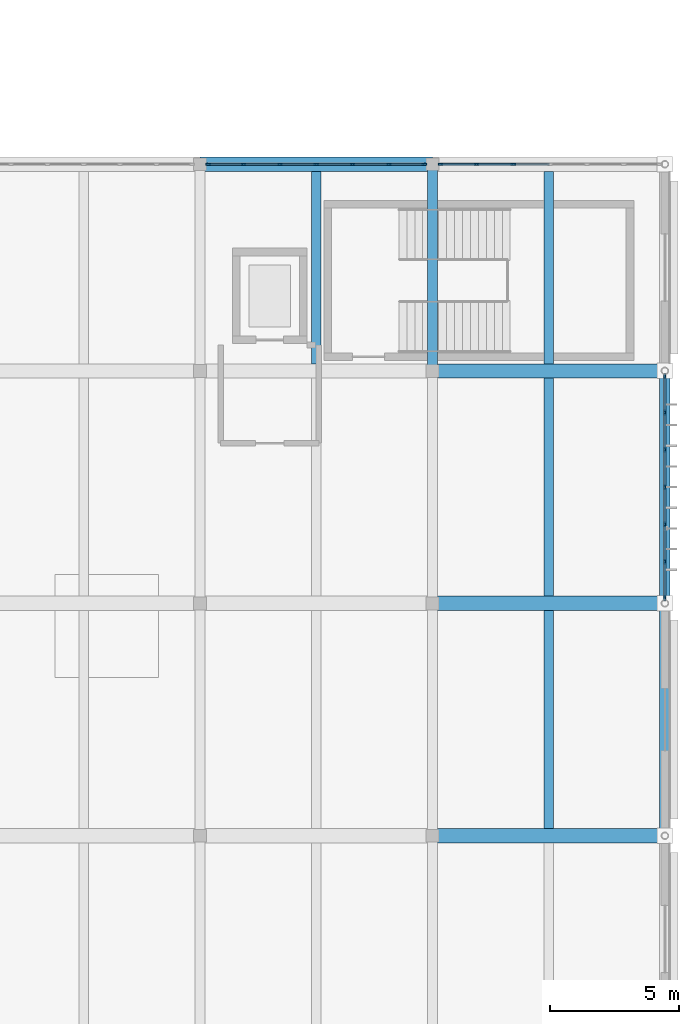
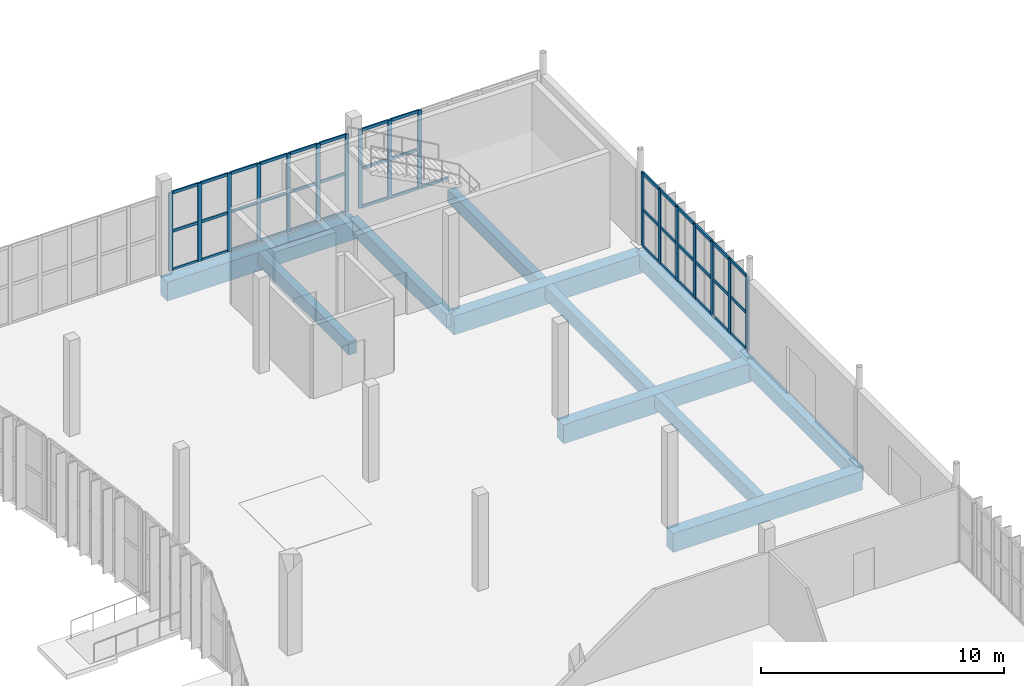
# One storey, part 31 of 72: 60 members, 11 beams, 3 elements without a shape of their own.
"""IFC4 building model written with IfcOpenShell, lengths in metres."""

from ifc_helpers import new_model, si_unit, direction, frame, origin, origin_2d, place, context, subcontext, project, spatial, rectangle, extrude, material, material_profile, profile_set, type_object, element, aggregate, save


model = new_model("IFC4")

# Units and contexts
model_context = context("Model", 3, precision=1e-05, world=origin(), true_north=direction((0.0, 1.0)))
body_context = subcontext(model_context, "Body", "Model", "MODEL_VIEW")
ifc_project = project(units=[si_unit("LENGTHUNIT", "METRE"), si_unit("AREAUNIT", "SQUARE_METRE"), si_unit("VOLUMEUNIT", "CUBIC_METRE"), si_unit("PLANEANGLEUNIT", "RADIAN"), si_unit("MASSUNIT", "GRAM", prefix="KILO")], contexts=[model_context])

# Site, building, storey
site_placement = place(None, origin())
site = spatial("IfcSite", under=ifc_project, at=site_placement, CompositionType="ELEMENT")
building_placement = place(site_placement, origin())
building = spatial("IfcBuilding", under=site, at=building_placement, Name="Vourika Railside Aquatics Centre", CompositionType="ELEMENT")
storey_placement = place(building_placement, origin())
storey = spatial("IfcBuildingStorey", under=building, at=storey_placement, Name="L00", CompositionType="ELEMENT", Elevation=0.0)

# Beams
ifc_material_1 = material(Name="Concrete C35/45", Category="concrete")
ifc_material_profile_1 = material_profile(ifc_material_1, rectangle(XDim=0.39990234375, YDim=0.699951171875, at=origin_2d()), Name="RC 400x700")
ifc_profile_set_1 = profile_set([ifc_material_profile_1], Name="Concrete C35/45")
beam_type_1 = type_object("IfcBeamType", Name="BM-GIRD-400x700", PredefinedType="BEAM", material=ifc_profile_set_1)
beam_placement = place(storey_placement, frame((159.0, 84.0, -0.669921875), z_axis=(0.0, 1.0, 0.0), x_axis=(-1.0, 0.0, 0.0)))
element("IfcBeam", 1, at=beam_placement, inside=storey, type_object=beam_type_1, Name="Floor Girder GY-L00-343", PredefinedType="BEAM", context=body_context, shape_type="SweptSolid", body=[
    extrude(rectangle(XDim=0.39990234375, YDim=0.699951171875, at=origin_2d()), origin(), (0.0, 0.0, 1.0), 8.0),
])
for number, where, z_axis, x_axis, name in (
    (2, (168.0, 66.0, -0.669921875), (0.0, 1.0, 0.0), (-1.0, 0.0, 0.0), "Floor Girder GY-L00-347"),
    (3, (168.0, 75.0, -0.669921875), (0.0, 1.0, 0.0), (-1.0, 0.0, 0.0), "Floor Girder GY-L00-348"),
):
    element("IfcBeam", number, at=place(storey_placement, frame(where, z_axis=z_axis, x_axis=x_axis)), inside=storey, type_object=beam_type_1, Name=name, PredefinedType="BEAM", context=body_context, shape_type="SweptSolid", body=[
        extrude(rectangle(XDim=0.39990234375, YDim=0.699951171875, at=origin_2d()), origin(), (0.0, 0.0, 1.0), 9.0),
    ])
ifc_material_2 = material(Name="Concrete C40/50", Category="concrete")
ifc_material_profile_2 = material_profile(ifc_material_2, rectangle(XDim=0.550048828125, YDim=0.949951171875, at=origin_2d()), Name="RC 550x950")
ifc_profile_set_2 = profile_set([ifc_material_profile_2], Name="Concrete C40/50")
beam_type_2 = type_object("IfcBeamType", Name="BM-GIRD-550x950", PredefinedType="BEAM", material=ifc_profile_set_2)
for number, where, z_axis, x_axis, name in (
    (4, (159.0, 66.0, -0.794921875), (1.0, 0.0, 0.0), (0.0, 1.0, 0.0), "Floor Beam GX-L00-113"),
    (5, (159.0, 75.0, -0.794921875), (1.0, 0.0, 0.0), (0.0, 1.0, 0.0), "Floor Beam GX-L00-118"),
    (6, (159.0, 84.0, -0.794921875), (1.0, 0.0, 0.0), (0.0, 1.0, 0.0), "Floor Beam GX-L00-123"),
    (7, (150.0, 92.0, -0.794921875), (1.0, 0.0, 0.0), (0.0, 1.0, 0.0), "Floor Beam GX-L00-141"),
):
    element("IfcBeam", number, at=place(storey_placement, frame(where, z_axis=z_axis, x_axis=x_axis)), inside=storey, type_object=beam_type_2, Name=name, PredefinedType="BEAM", context=body_context, shape_type="SweptSolid", body=[
        extrude(rectangle(XDim=0.550048828125, YDim=0.949951171875, at=origin_2d()), origin(), (0.0, 0.0, 1.0), 9.0),
    ])
ifc_material_profile_3 = material_profile(ifc_material_1, rectangle(XDim=0.3798828125, YDim=0.64990234375, at=origin_2d()), Name="RC 380x650")
ifc_profile_set_3 = profile_set([ifc_material_profile_3], Name="Concrete C35/45")
beam_type_3 = type_object("IfcBeamType", Name="BM-SEC-380x650", PredefinedType="JOIST", material=ifc_profile_set_3)
for number, where, z_axis, x_axis, name in (
    (8, (163.5, 66.27490234375, -0.64501953125), (0.0, 1.0, 0.0), (-1.0, 0.0, 0.0), "Secondary Joist JY-L00-423"),
    (9, (163.5, 75.27490234375, -0.64501953125), (0.0, 1.0, 0.0), (-1.0, 0.0, 0.0), "Secondary Joist JY-L00-428"),
):
    element("IfcBeam", number, at=place(storey_placement, frame(where, z_axis=z_axis, x_axis=x_axis)), inside=storey, type_object=beam_type_3, Name=name, PredefinedType="JOIST", context=body_context, shape_type="SweptSolid", body=[
        extrude(rectangle(XDim=0.3798828125, YDim=0.64990234375, at=origin_2d()), origin(), (0.0, 0.0, 1.0), 8.4501953125),
    ])
for number, where, z_axis, x_axis, name in (
    (10, (154.5, 84.27490234375, -0.64501953125), (0.0, 1.0, 0.0), (-1.0, 0.0, 0.0), "Secondary Joist JY-L00-432"),
    (11, (163.5, 84.27490234375, -0.64501953125), (0.0, 1.0, 0.0), (-1.0, 0.0, 0.0), "Secondary Joist JY-L00-433"),
):
    element("IfcBeam", number, at=place(storey_placement, frame(where, z_axis=z_axis, x_axis=x_axis)), inside=storey, type_object=beam_type_3, Name=name, PredefinedType="JOIST", context=body_context, shape_type="SweptSolid", body=[
        extrude(rectangle(XDim=0.3798828125, YDim=0.64990234375, at=origin_2d()), origin(), (0.0, 0.0, 1.0), 7.4501953125),
    ])

# Curtain wall, members
ifc_material_3 = material(Name="Anodized thermally broken aluminium", Category="aluminium")
curtain_wall_type_1 = type_object("IfcCurtainWallType", Name="CW-FOYE", PredefinedType="NOTDEFINED", material=ifc_material_3)
curtain_wall_1_placement = place(storey_placement, origin())
curtain_wall_1 = element("IfcCurtainWall", 12, at=curtain_wall_1_placement, inside=storey, type_object=curtain_wall_type_1, Name="East Arrival Facade Curtain Wall L00-5", PredefinedType="NOTDEFINED")
ifc_material_4 = material(Name="Anodized aluminium mullion", Category="aluminium")
ifc_material_profile_4 = material_profile(ifc_material_4, rectangle(XDim=0.074951171875, YDim=0.199951171875, at=origin_2d()), Name="ALU-M 75x200")
ifc_profile_set_4 = profile_set([ifc_material_profile_4], Name="Anodized aluminium mullion")
member_type_1 = type_object("IfcMemberType", Name="CWM-FOYE", PredefinedType="MULLION", material=ifc_profile_set_4)
member_1_placement = place(storey_placement, frame((168.0, 75.2041015625, 0.0), z_axis=(0.0, 0.0, 1.0), x_axis=(-1.0, 0.0, 0.0)))
member_1 = element("IfcMember", 13, at=member_1_placement, type_object=member_type_1, Name="CW10 mullion 1", PredefinedType="MULLION", context=body_context, shape_type="SweptSolid", body=[
    extrude(rectangle(XDim=0.074951171875, YDim=0.199951171875, at=origin_2d()), origin(), (0.0, 0.0, 1.0), 3.72998046875),
])
member_2_placement = place(storey_placement, frame((168.0, 76.611083984375, 0.0), z_axis=(0.0, 0.0, 1.0), x_axis=(-1.0, 0.0, 0.0)))
member_2 = element("IfcMember", 14, at=member_2_placement, type_object=member_type_1, Name="CW10 mullion 2", PredefinedType="MULLION", context=body_context, shape_type="SweptSolid", body=[
    extrude(rectangle(XDim=0.074951171875, YDim=0.199951171875, at=origin_2d()), origin(), (0.0, 0.0, 1.0), 3.72998046875),
])
member_3_placement = place(storey_placement, frame((168.0, 78.055419921875, 0.0), z_axis=(0.0, 0.0, 1.0), x_axis=(-1.0, 0.0, 0.0)))
member_3 = element("IfcMember", 15, at=member_3_placement, type_object=member_type_1, Name="CW10 mullion 3", PredefinedType="MULLION", context=body_context, shape_type="SweptSolid", body=[
    extrude(rectangle(XDim=0.074951171875, YDim=0.199951171875, at=origin_2d()), origin(), (0.0, 0.0, 1.0), 3.72998046875),
])
member_4_placement = place(storey_placement, frame((168.0, 79.5, 0.0), z_axis=(0.0, 0.0, 1.0), x_axis=(-1.0, 0.0, 0.0)))
member_4 = element("IfcMember", 16, at=member_4_placement, type_object=member_type_1, Name="CW10 mullion 4", PredefinedType="MULLION", context=body_context, shape_type="SweptSolid", body=[
    extrude(rectangle(XDim=0.074951171875, YDim=0.199951171875, at=origin_2d()), origin(), (0.0, 0.0, 1.0), 3.72998046875),
])
member_5_placement = place(storey_placement, frame((168.0, 80.944580078125, 0.0), z_axis=(0.0, 0.0, 1.0), x_axis=(-1.0, 0.0, 0.0)))
member_5 = element("IfcMember", 17, at=member_5_placement, type_object=member_type_1, Name="CW10 mullion 5", PredefinedType="MULLION", context=body_context, shape_type="SweptSolid", body=[
    extrude(rectangle(XDim=0.074951171875, YDim=0.199951171875, at=origin_2d()), origin(), (0.0, 0.0, 1.0), 3.72998046875),
])
member_6_placement = place(storey_placement, frame((168.0, 82.388916015625, 0.0), z_axis=(0.0, 0.0, 1.0), x_axis=(-1.0, 0.0, 0.0)))
member_6 = element("IfcMember", 18, at=member_6_placement, type_object=member_type_1, Name="CW10 mullion 6", PredefinedType="MULLION", context=body_context, shape_type="SweptSolid", body=[
    extrude(rectangle(XDim=0.074951171875, YDim=0.199951171875, at=origin_2d()), origin(), (0.0, 0.0, 1.0), 3.72998046875),
])
member_7_placement = place(storey_placement, frame((168.0, 83.7958984375, 0.0), z_axis=(0.0, 0.0, 1.0), x_axis=(-1.0, 0.0, 0.0)))
member_7 = element("IfcMember", 19, at=member_7_placement, type_object=member_type_1, Name="CW10 mullion 7", PredefinedType="MULLION", context=body_context, shape_type="SweptSolid", body=[
    extrude(rectangle(XDim=0.074951171875, YDim=0.199951171875, at=origin_2d()), origin(), (0.0, 0.0, 1.0), 3.72998046875),
])

curtain_wall_type_2 = type_object("IfcCurtainWallType", Name="CW-FOYS", PredefinedType="NOTDEFINED", material=ifc_material_3)
curtain_wall_2_placement = place(storey_placement, origin())
curtain_wall_2 = element("IfcCurtainWall", 20, at=curtain_wall_2_placement, inside=storey, type_object=curtain_wall_type_2, Name="Foyer North Glazed Facade L00-2", PredefinedType="NOTDEFINED")
ifc_material_profile_5 = material_profile(ifc_material_4, rectangle(XDim=0.072021484375, YDim=0.181884765625, at=origin_2d()), Name="ALU-M 72x182")
ifc_profile_set_5 = profile_set([ifc_material_profile_5], Name="Anodized aluminium mullion")
member_type_2 = type_object("IfcMemberType", Name="CWM-FOYS", PredefinedType="MULLION", material=ifc_profile_set_5)
member_8_placement = place(storey_placement, frame((158.68408203125, 92.0, 0.0), z_axis=(0.0, 0.0, 1.0), x_axis=(0.0, -1.0, 0.0)))
member_8 = element("IfcMember", 21, at=member_8_placement, type_object=member_type_2, Name="CW11 mullion 1", PredefinedType="MULLION", context=body_context, shape_type="SweptSolid", body=[
    extrude(rectangle(XDim=0.072021484375, YDim=0.181884765625, at=origin_2d()), origin(), (0.0, 0.0, 1.0), 3.929931640625),
])
member_9_placement = place(storey_placement, frame((157.313232421875, 92.0, 0.0), z_axis=(0.0, 0.0, 1.0), x_axis=(0.0, -1.0, 0.0)))
member_9 = element("IfcMember", 22, at=member_9_placement, type_object=member_type_2, Name="CW11 mullion 2", PredefinedType="MULLION", context=body_context, shape_type="SweptSolid", body=[
    extrude(rectangle(XDim=0.072021484375, YDim=0.181884765625, at=origin_2d()), origin(), (0.0, 0.0, 1.0), 3.929931640625),
])
member_10_placement = place(storey_placement, frame((155.90673828125, 92.0, 0.0), z_axis=(0.0, 0.0, 1.0), x_axis=(0.0, -1.0, 0.0)))
member_10 = element("IfcMember", 23, at=member_10_placement, type_object=member_type_2, Name="CW11 mullion 3", PredefinedType="MULLION", context=body_context, shape_type="SweptSolid", body=[
    extrude(rectangle(XDim=0.072021484375, YDim=0.181884765625, at=origin_2d()), origin(), (0.0, 0.0, 1.0), 3.929931640625),
])
member_11_placement = place(storey_placement, frame((154.5, 92.0, 0.0), z_axis=(0.0, 0.0, 1.0), x_axis=(0.0, -1.0, 0.0)))
member_11 = element("IfcMember", 24, at=member_11_placement, type_object=member_type_2, Name="CW11 mullion 4", PredefinedType="MULLION", context=body_context, shape_type="SweptSolid", body=[
    extrude(rectangle(XDim=0.072021484375, YDim=0.181884765625, at=origin_2d()), origin(), (0.0, 0.0, 1.0), 3.929931640625),
])
member_12_placement = place(storey_placement, frame((153.09326171875, 92.0, 0.0), z_axis=(0.0, 0.0, 1.0), x_axis=(0.0, -1.0, 0.0)))
member_12 = element("IfcMember", 25, at=member_12_placement, type_object=member_type_2, Name="CW11 mullion 5", PredefinedType="MULLION", context=body_context, shape_type="SweptSolid", body=[
    extrude(rectangle(XDim=0.072021484375, YDim=0.181884765625, at=origin_2d()), origin(), (0.0, 0.0, 1.0), 3.929931640625),
])
member_13_placement = place(storey_placement, frame((151.686767578125, 92.0, 0.0), z_axis=(0.0, 0.0, 1.0), x_axis=(0.0, -1.0, 0.0)))
member_13 = element("IfcMember", 26, at=member_13_placement, type_object=member_type_2, Name="CW11 mullion 6", PredefinedType="MULLION", context=body_context, shape_type="SweptSolid", body=[
    extrude(rectangle(XDim=0.072021484375, YDim=0.181884765625, at=origin_2d()), origin(), (0.0, 0.0, 1.0), 3.929931640625),
])
member_14_placement = place(storey_placement, frame((150.31591796875, 92.0, 0.0), z_axis=(0.0, 0.0, 1.0), x_axis=(0.0, -1.0, 0.0)))
member_14 = element("IfcMember", 27, at=member_14_placement, type_object=member_type_2, Name="CW11 mullion 7", PredefinedType="MULLION", context=body_context, shape_type="SweptSolid", body=[
    extrude(rectangle(XDim=0.072021484375, YDim=0.181884765625, at=origin_2d()), origin(), (0.0, 0.0, 1.0), 3.929931640625),
])

curtain_wall_3_placement = place(storey_placement, origin())
curtain_wall_3 = element("IfcCurtainWall", 28, at=curtain_wall_3_placement, inside=storey, type_object=curtain_wall_type_2, Name="Foyer North Glazed Facade L00-3", PredefinedType="NOTDEFINED")
member_15_placement = place(storey_placement, frame((162.131103515625, 92.0, 0.0), z_axis=(0.0, 0.0, 1.0), x_axis=(0.0, -1.0, 0.0)))
member_15 = element("IfcMember", 29, at=member_15_placement, type_object=member_type_2, Name="CW11 mullion 5", PredefinedType="MULLION", context=body_context, shape_type="SweptSolid", body=[
    extrude(rectangle(XDim=0.072021484375, YDim=0.181884765625, at=origin_2d()), origin(), (0.0, 0.0, 1.0), 3.929931640625),
])
member_16_placement = place(storey_placement, frame((160.70556640625, 92.0, 0.0), z_axis=(0.0, 0.0, 1.0), x_axis=(0.0, -1.0, 0.0)))
member_16 = element("IfcMember", 30, at=member_16_placement, type_object=member_type_2, Name="CW11 mullion 6", PredefinedType="MULLION", context=body_context, shape_type="SweptSolid", body=[
    extrude(rectangle(XDim=0.072021484375, YDim=0.181884765625, at=origin_2d()), origin(), (0.0, 0.0, 1.0), 3.929931640625),
])
member_17_placement = place(storey_placement, frame((159.31591796875, 92.0, 0.0), z_axis=(0.0, 0.0, 1.0), x_axis=(0.0, -1.0, 0.0)))
member_17 = element("IfcMember", 31, at=member_17_placement, type_object=member_type_2, Name="CW11 mullion 7", PredefinedType="MULLION", context=body_context, shape_type="SweptSolid", body=[
    extrude(rectangle(XDim=0.072021484375, YDim=0.181884765625, at=origin_2d()), origin(), (0.0, 0.0, 1.0), 3.929931640625),
])

# Member
ifc_material_5 = material(Name="Anodized aluminium transom", Category="aluminium")
ifc_material_profile_6 = material_profile(ifc_material_5, rectangle(XDim=0.074951171875, YDim=0.157958984375, at=origin_2d()), Name="ALU-T 75x158")
ifc_profile_set_6 = profile_set([ifc_material_profile_6], Name="Anodized aluminium transom")
member_type_3 = type_object("IfcMemberType", Name="CWT-FOYE", PredefinedType="USERDEFINED", material=ifc_profile_set_6)
member_18_placement = place(storey_placement, frame((168.0, 75.241455078125, 0.03759765625), z_axis=(0.0, 1.0, 0.0), x_axis=(-1.0, 0.0, 0.0)))
member_18 = element("IfcMember", 32, at=member_18_placement, type_object=member_type_3, Name="CW10 transom 1.1", ObjectType="TRANSOM", PredefinedType="USERDEFINED", context=body_context, shape_type="SweptSolid", body=[
    extrude(rectangle(XDim=0.074951171875, YDim=0.157958984375, at=origin_2d()), origin(), (0.0, 0.0, 1.0), 1.33203125),
])

member_19_placement = place(storey_placement, frame((168.0, 75.241455078125, 1.864990234375), z_axis=(0.0, 1.0, 0.0), x_axis=(-1.0, 0.0, 0.0)))
member_19 = element("IfcMember", 33, at=member_19_placement, type_object=member_type_3, Name="CW10 transom 1.2", ObjectType="TRANSOM", PredefinedType="USERDEFINED", context=body_context, shape_type="SweptSolid", body=[
    extrude(rectangle(XDim=0.074951171875, YDim=0.157958984375, at=origin_2d()), origin(), (0.0, 0.0, 1.0), 1.33203125),
])

member_20_placement = place(storey_placement, frame((168.0, 75.241455078125, 3.6923828125), z_axis=(0.0, 1.0, 0.0), x_axis=(-1.0, 0.0, 0.0)))
member_20 = element("IfcMember", 34, at=member_20_placement, type_object=member_type_3, Name="CW10 transom 1.3", ObjectType="TRANSOM", PredefinedType="USERDEFINED", context=body_context, shape_type="SweptSolid", body=[
    extrude(rectangle(XDim=0.074951171875, YDim=0.157958984375, at=origin_2d()), origin(), (0.0, 0.0, 1.0), 1.33203125),
])

member_21_placement = place(storey_placement, frame((168.0, 76.6484375, 0.03759765625), z_axis=(0.0, 1.0, 0.0), x_axis=(-1.0, 0.0, 0.0)))
member_21 = element("IfcMember", 35, at=member_21_placement, type_object=member_type_3, Name="CW10 transom 2.1", ObjectType="TRANSOM", PredefinedType="USERDEFINED", context=body_context, shape_type="SweptSolid", body=[
    extrude(rectangle(XDim=0.074951171875, YDim=0.157958984375, at=origin_2d()), origin(), (0.0, 0.0, 1.0), 1.36962890625),
])

member_22_placement = place(storey_placement, frame((168.0, 76.6484375, 1.864990234375), z_axis=(0.0, 1.0, 0.0), x_axis=(-1.0, 0.0, 0.0)))
member_22 = element("IfcMember", 36, at=member_22_placement, type_object=member_type_3, Name="CW10 transom 2.2", ObjectType="TRANSOM", PredefinedType="USERDEFINED", context=body_context, shape_type="SweptSolid", body=[
    extrude(rectangle(XDim=0.074951171875, YDim=0.157958984375, at=origin_2d()), origin(), (0.0, 0.0, 1.0), 1.36962890625),
])

member_23_placement = place(storey_placement, frame((168.0, 76.6484375, 3.6923828125), z_axis=(0.0, 1.0, 0.0), x_axis=(-1.0, 0.0, 0.0)))
member_23 = element("IfcMember", 37, at=member_23_placement, type_object=member_type_3, Name="CW10 transom 2.3", ObjectType="TRANSOM", PredefinedType="USERDEFINED", context=body_context, shape_type="SweptSolid", body=[
    extrude(rectangle(XDim=0.074951171875, YDim=0.157958984375, at=origin_2d()), origin(), (0.0, 0.0, 1.0), 1.36962890625),
])

member_24_placement = place(storey_placement, frame((168.0, 78.093017578125, 0.03759765625), z_axis=(0.0, 1.0, 0.0), x_axis=(-1.0, 0.0, 0.0)))
member_24 = element("IfcMember", 38, at=member_24_placement, type_object=member_type_3, Name="CW10 transom 3.1", ObjectType="TRANSOM", PredefinedType="USERDEFINED", context=body_context, shape_type="SweptSolid", body=[
    extrude(rectangle(XDim=0.074951171875, YDim=0.157958984375, at=origin_2d()), origin(), (0.0, 0.0, 1.0), 1.369384765625),
])

member_25_placement = place(storey_placement, frame((168.0, 78.093017578125, 1.864990234375), z_axis=(0.0, 1.0, 0.0), x_axis=(-1.0, 0.0, 0.0)))
member_25 = element("IfcMember", 39, at=member_25_placement, type_object=member_type_3, Name="CW10 transom 3.2", ObjectType="TRANSOM", PredefinedType="USERDEFINED", context=body_context, shape_type="SweptSolid", body=[
    extrude(rectangle(XDim=0.074951171875, YDim=0.157958984375, at=origin_2d()), origin(), (0.0, 0.0, 1.0), 1.369384765625),
])

member_26_placement = place(storey_placement, frame((168.0, 78.093017578125, 3.6923828125), z_axis=(0.0, 1.0, 0.0), x_axis=(-1.0, 0.0, 0.0)))
member_26 = element("IfcMember", 40, at=member_26_placement, type_object=member_type_3, Name="CW10 transom 3.3", ObjectType="TRANSOM", PredefinedType="USERDEFINED", context=body_context, shape_type="SweptSolid", body=[
    extrude(rectangle(XDim=0.074951171875, YDim=0.157958984375, at=origin_2d()), origin(), (0.0, 0.0, 1.0), 1.369384765625),
])

member_27_placement = place(storey_placement, frame((168.0, 79.53759765625, 0.03759765625), z_axis=(0.0, 1.0, 0.0), x_axis=(-1.0, 0.0, 0.0)))
member_27 = element("IfcMember", 41, at=member_27_placement, type_object=member_type_3, Name="CW10 transom 4.1", ObjectType="TRANSOM", PredefinedType="USERDEFINED", context=body_context, shape_type="SweptSolid", body=[
    extrude(rectangle(XDim=0.074951171875, YDim=0.157958984375, at=origin_2d()), origin(), (0.0, 0.0, 1.0), 1.369384765625),
])

member_28_placement = place(storey_placement, frame((168.0, 79.53759765625, 1.864990234375), z_axis=(0.0, 1.0, 0.0), x_axis=(-1.0, 0.0, 0.0)))
member_28 = element("IfcMember", 42, at=member_28_placement, type_object=member_type_3, Name="CW10 transom 4.2", ObjectType="TRANSOM", PredefinedType="USERDEFINED", context=body_context, shape_type="SweptSolid", body=[
    extrude(rectangle(XDim=0.074951171875, YDim=0.157958984375, at=origin_2d()), origin(), (0.0, 0.0, 1.0), 1.369384765625),
])

member_29_placement = place(storey_placement, frame((168.0, 79.53759765625, 3.6923828125), z_axis=(0.0, 1.0, 0.0), x_axis=(-1.0, 0.0, 0.0)))
member_29 = element("IfcMember", 43, at=member_29_placement, type_object=member_type_3, Name="CW10 transom 4.3", ObjectType="TRANSOM", PredefinedType="USERDEFINED", context=body_context, shape_type="SweptSolid", body=[
    extrude(rectangle(XDim=0.074951171875, YDim=0.157958984375, at=origin_2d()), origin(), (0.0, 0.0, 1.0), 1.369384765625),
])

member_30_placement = place(storey_placement, frame((168.0, 80.98193359375, 0.03759765625), z_axis=(0.0, 1.0, 0.0), x_axis=(-1.0, 0.0, 0.0)))
member_30 = element("IfcMember", 44, at=member_30_placement, type_object=member_type_3, Name="CW10 transom 5.1", ObjectType="TRANSOM", PredefinedType="USERDEFINED", context=body_context, shape_type="SweptSolid", body=[
    extrude(rectangle(XDim=0.074951171875, YDim=0.157958984375, at=origin_2d()), origin(), (0.0, 0.0, 1.0), 1.36962890625),
])

member_31_placement = place(storey_placement, frame((168.0, 80.98193359375, 1.864990234375), z_axis=(0.0, 1.0, 0.0), x_axis=(-1.0, 0.0, 0.0)))
member_31 = element("IfcMember", 45, at=member_31_placement, type_object=member_type_3, Name="CW10 transom 5.2", ObjectType="TRANSOM", PredefinedType="USERDEFINED", context=body_context, shape_type="SweptSolid", body=[
    extrude(rectangle(XDim=0.074951171875, YDim=0.157958984375, at=origin_2d()), origin(), (0.0, 0.0, 1.0), 1.36962890625),
])

member_32_placement = place(storey_placement, frame((168.0, 80.98193359375, 3.6923828125), z_axis=(0.0, 1.0, 0.0), x_axis=(-1.0, 0.0, 0.0)))
member_32 = element("IfcMember", 46, at=member_32_placement, type_object=member_type_3, Name="CW10 transom 5.3", ObjectType="TRANSOM", PredefinedType="USERDEFINED", context=body_context, shape_type="SweptSolid", body=[
    extrude(rectangle(XDim=0.074951171875, YDim=0.157958984375, at=origin_2d()), origin(), (0.0, 0.0, 1.0), 1.36962890625),
])

member_33_placement = place(storey_placement, frame((168.0, 82.426513671875, 0.03759765625), z_axis=(0.0, 1.0, 0.0), x_axis=(-1.0, 0.0, 0.0)))
member_33 = element("IfcMember", 47, at=member_33_placement, type_object=member_type_3, Name="CW10 transom 6.1", ObjectType="TRANSOM", PredefinedType="USERDEFINED", context=body_context, shape_type="SweptSolid", body=[
    extrude(rectangle(XDim=0.074951171875, YDim=0.157958984375, at=origin_2d()), origin(), (0.0, 0.0, 1.0), 1.33203125),
])

member_34_placement = place(storey_placement, frame((168.0, 82.426513671875, 1.864990234375), z_axis=(0.0, 1.0, 0.0), x_axis=(-1.0, 0.0, 0.0)))
member_34 = element("IfcMember", 48, at=member_34_placement, type_object=member_type_3, Name="CW10 transom 6.2", ObjectType="TRANSOM", PredefinedType="USERDEFINED", context=body_context, shape_type="SweptSolid", body=[
    extrude(rectangle(XDim=0.074951171875, YDim=0.157958984375, at=origin_2d()), origin(), (0.0, 0.0, 1.0), 1.33203125),
])

member_35_placement = place(storey_placement, frame((168.0, 82.426513671875, 3.6923828125), z_axis=(0.0, 1.0, 0.0), x_axis=(-1.0, 0.0, 0.0)))
member_35 = element("IfcMember", 49, at=member_35_placement, type_object=member_type_3, Name="CW10 transom 6.3", ObjectType="TRANSOM", PredefinedType="USERDEFINED", context=body_context, shape_type="SweptSolid", body=[
    extrude(rectangle(XDim=0.074951171875, YDim=0.157958984375, at=origin_2d()), origin(), (0.0, 0.0, 1.0), 1.33203125),
])

aggregate(curtain_wall_1, [member_1, member_2, member_3, member_4, member_5, member_6, member_7, member_18, member_19, member_20, member_21, member_22, member_23, member_24, member_25, member_26, member_27, member_28, member_29, member_30, member_31, member_32, member_33, member_34, member_35])

ifc_material_profile_7 = material_profile(ifc_material_5, rectangle(XDim=0.072021484375, YDim=0.14404296875, at=origin_2d()), Name="ALU-T 72x144")
ifc_profile_set_7 = profile_set([ifc_material_profile_7], Name="Anodized aluminium transom")
member_type_4 = type_object("IfcMemberType", Name="CWT-FOYS", PredefinedType="USERDEFINED", material=ifc_profile_set_7)
member_36_placement = place(storey_placement, frame((158.64794921875, 92.0, 0.035888671875), z_axis=(-1.0, 0.0, 0.0), x_axis=(0.0, -1.0, 0.0)))
member_36 = element("IfcMember", 50, at=member_36_placement, type_object=member_type_4, Name="CW11 transom 1.1", ObjectType="TRANSOM", PredefinedType="USERDEFINED", context=body_context, shape_type="SweptSolid", body=[
    extrude(rectangle(XDim=0.072021484375, YDim=0.14404296875, at=origin_2d()), origin(), (0.0, 0.0, 1.0), 1.298583984375),
])

member_37_placement = place(storey_placement, frame((158.64794921875, 92.0, 1.965087890625), z_axis=(-1.0, 0.0, 0.0), x_axis=(0.0, -1.0, 0.0)))
member_37 = element("IfcMember", 51, at=member_37_placement, type_object=member_type_4, Name="CW11 transom 1.2", ObjectType="TRANSOM", PredefinedType="USERDEFINED", context=body_context, shape_type="SweptSolid", body=[
    extrude(rectangle(XDim=0.072021484375, YDim=0.14404296875, at=origin_2d()), origin(), (0.0, 0.0, 1.0), 1.298583984375),
])

member_38_placement = place(storey_placement, frame((158.64794921875, 92.0, 3.89404296875), z_axis=(-1.0, 0.0, 0.0), x_axis=(0.0, -1.0, 0.0)))
member_38 = element("IfcMember", 52, at=member_38_placement, type_object=member_type_4, Name="CW11 transom 1.3", ObjectType="TRANSOM", PredefinedType="USERDEFINED", context=body_context, shape_type="SweptSolid", body=[
    extrude(rectangle(XDim=0.072021484375, YDim=0.14404296875, at=origin_2d()), origin(), (0.0, 0.0, 1.0), 1.298583984375),
])

member_39_placement = place(storey_placement, frame((157.27734375, 92.0, 0.035888671875), z_axis=(-1.0, 0.0, 0.0), x_axis=(0.0, -1.0, 0.0)))
member_39 = element("IfcMember", 53, at=member_39_placement, type_object=member_type_4, Name="CW11 transom 2.1", ObjectType="TRANSOM", PredefinedType="USERDEFINED", context=body_context, shape_type="SweptSolid", body=[
    extrude(rectangle(XDim=0.072021484375, YDim=0.14404296875, at=origin_2d()), origin(), (0.0, 0.0, 1.0), 1.334716796875),
])

member_40_placement = place(storey_placement, frame((157.27734375, 92.0, 1.965087890625), z_axis=(-1.0, 0.0, 0.0), x_axis=(0.0, -1.0, 0.0)))
member_40 = element("IfcMember", 54, at=member_40_placement, type_object=member_type_4, Name="CW11 transom 2.2", ObjectType="TRANSOM", PredefinedType="USERDEFINED", context=body_context, shape_type="SweptSolid", body=[
    extrude(rectangle(XDim=0.072021484375, YDim=0.14404296875, at=origin_2d()), origin(), (0.0, 0.0, 1.0), 1.334716796875),
])

member_41_placement = place(storey_placement, frame((157.27734375, 92.0, 3.89404296875), z_axis=(-1.0, 0.0, 0.0), x_axis=(0.0, -1.0, 0.0)))
member_41 = element("IfcMember", 55, at=member_41_placement, type_object=member_type_4, Name="CW11 transom 2.3", ObjectType="TRANSOM", PredefinedType="USERDEFINED", context=body_context, shape_type="SweptSolid", body=[
    extrude(rectangle(XDim=0.072021484375, YDim=0.14404296875, at=origin_2d()), origin(), (0.0, 0.0, 1.0), 1.334716796875),
])

member_42_placement = place(storey_placement, frame((155.87060546875, 92.0, 0.035888671875), z_axis=(-1.0, 0.0, 0.0), x_axis=(0.0, -1.0, 0.0)))
member_42 = element("IfcMember", 56, at=member_42_placement, type_object=member_type_4, Name="CW11 transom 3.1", ObjectType="TRANSOM", PredefinedType="USERDEFINED", context=body_context, shape_type="SweptSolid", body=[
    extrude(rectangle(XDim=0.072021484375, YDim=0.14404296875, at=origin_2d()), origin(), (0.0, 0.0, 1.0), 1.334716796875),
])

member_43_placement = place(storey_placement, frame((155.87060546875, 92.0, 1.965087890625), z_axis=(-1.0, 0.0, 0.0), x_axis=(0.0, -1.0, 0.0)))
member_43 = element("IfcMember", 57, at=member_43_placement, type_object=member_type_4, Name="CW11 transom 3.2", ObjectType="TRANSOM", PredefinedType="USERDEFINED", context=body_context, shape_type="SweptSolid", body=[
    extrude(rectangle(XDim=0.072021484375, YDim=0.14404296875, at=origin_2d()), origin(), (0.0, 0.0, 1.0), 1.334716796875),
])

member_44_placement = place(storey_placement, frame((155.87060546875, 92.0, 3.89404296875), z_axis=(-1.0, 0.0, 0.0), x_axis=(0.0, -1.0, 0.0)))
member_44 = element("IfcMember", 58, at=member_44_placement, type_object=member_type_4, Name="CW11 transom 3.3", ObjectType="TRANSOM", PredefinedType="USERDEFINED", context=body_context, shape_type="SweptSolid", body=[
    extrude(rectangle(XDim=0.072021484375, YDim=0.14404296875, at=origin_2d()), origin(), (0.0, 0.0, 1.0), 1.334716796875),
])

member_45_placement = place(storey_placement, frame((154.464111328125, 92.0, 0.035888671875), z_axis=(-1.0, 0.0, 0.0), x_axis=(0.0, -1.0, 0.0)))
member_45 = element("IfcMember", 59, at=member_45_placement, type_object=member_type_4, Name="CW11 transom 4.1", ObjectType="TRANSOM", PredefinedType="USERDEFINED", context=body_context, shape_type="SweptSolid", body=[
    extrude(rectangle(XDim=0.072021484375, YDim=0.14404296875, at=origin_2d()), origin(), (0.0, 0.0, 1.0), 1.334716796875),
])

member_46_placement = place(storey_placement, frame((154.464111328125, 92.0, 1.965087890625), z_axis=(-1.0, 0.0, 0.0), x_axis=(0.0, -1.0, 0.0)))
member_46 = element("IfcMember", 60, at=member_46_placement, type_object=member_type_4, Name="CW11 transom 4.2", ObjectType="TRANSOM", PredefinedType="USERDEFINED", context=body_context, shape_type="SweptSolid", body=[
    extrude(rectangle(XDim=0.072021484375, YDim=0.14404296875, at=origin_2d()), origin(), (0.0, 0.0, 1.0), 1.334716796875),
])

member_47_placement = place(storey_placement, frame((154.464111328125, 92.0, 3.89404296875), z_axis=(-1.0, 0.0, 0.0), x_axis=(0.0, -1.0, 0.0)))
member_47 = element("IfcMember", 61, at=member_47_placement, type_object=member_type_4, Name="CW11 transom 4.3", ObjectType="TRANSOM", PredefinedType="USERDEFINED", context=body_context, shape_type="SweptSolid", body=[
    extrude(rectangle(XDim=0.072021484375, YDim=0.14404296875, at=origin_2d()), origin(), (0.0, 0.0, 1.0), 1.334716796875),
])

member_48_placement = place(storey_placement, frame((153.057373046875, 92.0, 0.035888671875), z_axis=(-1.0, 0.0, 0.0), x_axis=(0.0, -1.0, 0.0)))
member_48 = element("IfcMember", 62, at=member_48_placement, type_object=member_type_4, Name="CW11 transom 5.1", ObjectType="TRANSOM", PredefinedType="USERDEFINED", context=body_context, shape_type="SweptSolid", body=[
    extrude(rectangle(XDim=0.072021484375, YDim=0.14404296875, at=origin_2d()), origin(), (0.0, 0.0, 1.0), 1.334716796875),
])

member_49_placement = place(storey_placement, frame((153.057373046875, 92.0, 1.965087890625), z_axis=(-1.0, 0.0, 0.0), x_axis=(0.0, -1.0, 0.0)))
member_49 = element("IfcMember", 63, at=member_49_placement, type_object=member_type_4, Name="CW11 transom 5.2", ObjectType="TRANSOM", PredefinedType="USERDEFINED", context=body_context, shape_type="SweptSolid", body=[
    extrude(rectangle(XDim=0.072021484375, YDim=0.14404296875, at=origin_2d()), origin(), (0.0, 0.0, 1.0), 1.334716796875),
])

member_50_placement = place(storey_placement, frame((153.057373046875, 92.0, 3.89404296875), z_axis=(-1.0, 0.0, 0.0), x_axis=(0.0, -1.0, 0.0)))
member_50 = element("IfcMember", 64, at=member_50_placement, type_object=member_type_4, Name="CW11 transom 5.3", ObjectType="TRANSOM", PredefinedType="USERDEFINED", context=body_context, shape_type="SweptSolid", body=[
    extrude(rectangle(XDim=0.072021484375, YDim=0.14404296875, at=origin_2d()), origin(), (0.0, 0.0, 1.0), 1.334716796875),
])

member_51_placement = place(storey_placement, frame((151.650634765625, 92.0, 0.035888671875), z_axis=(-1.0, 0.0, 0.0), x_axis=(0.0, -1.0, 0.0)))
member_51 = element("IfcMember", 65, at=member_51_placement, type_object=member_type_4, Name="CW11 transom 6.1", ObjectType="TRANSOM", PredefinedType="USERDEFINED", context=body_context, shape_type="SweptSolid", body=[
    extrude(rectangle(XDim=0.072021484375, YDim=0.14404296875, at=origin_2d()), origin(), (0.0, 0.0, 1.0), 1.298583984375),
])

member_52_placement = place(storey_placement, frame((151.650634765625, 92.0, 1.965087890625), z_axis=(-1.0, 0.0, 0.0), x_axis=(0.0, -1.0, 0.0)))
member_52 = element("IfcMember", 66, at=member_52_placement, type_object=member_type_4, Name="CW11 transom 6.2", ObjectType="TRANSOM", PredefinedType="USERDEFINED", context=body_context, shape_type="SweptSolid", body=[
    extrude(rectangle(XDim=0.072021484375, YDim=0.14404296875, at=origin_2d()), origin(), (0.0, 0.0, 1.0), 1.298583984375),
])

member_53_placement = place(storey_placement, frame((151.650634765625, 92.0, 3.89404296875), z_axis=(-1.0, 0.0, 0.0), x_axis=(0.0, -1.0, 0.0)))
member_53 = element("IfcMember", 67, at=member_53_placement, type_object=member_type_4, Name="CW11 transom 6.3", ObjectType="TRANSOM", PredefinedType="USERDEFINED", context=body_context, shape_type="SweptSolid", body=[
    extrude(rectangle(XDim=0.072021484375, YDim=0.14404296875, at=origin_2d()), origin(), (0.0, 0.0, 1.0), 1.298583984375),
])

aggregate(curtain_wall_2, [member_8, member_9, member_10, member_11, member_12, member_13, member_14, member_36, member_37, member_38, member_39, member_40, member_41, member_42, member_43, member_44, member_45, member_46, member_47, member_48, member_49, member_50, member_51, member_52, member_53])

member_54_placement = place(storey_placement, frame((163.520751953125, 92.0, 0.035888671875), z_axis=(-1.0, 0.0, 0.0), x_axis=(0.0, -1.0, 0.0)))
member_54 = element("IfcMember", 68, at=member_54_placement, type_object=member_type_4, Name="CW11 transom 4.1", ObjectType="TRANSOM", PredefinedType="USERDEFINED", context=body_context, shape_type="SweptSolid", body=[
    extrude(rectangle(XDim=0.072021484375, YDim=0.14404296875, at=origin_2d()), origin(), (0.0, 0.0, 1.0), 1.353515625),
])

member_55_placement = place(storey_placement, frame((162.09521484375, 92.0, 0.035888671875), z_axis=(-1.0, 0.0, 0.0), x_axis=(0.0, -1.0, 0.0)))
member_55 = element("IfcMember", 69, at=member_55_placement, type_object=member_type_4, Name="CW11 transom 5.1", ObjectType="TRANSOM", PredefinedType="USERDEFINED", context=body_context, shape_type="SweptSolid", body=[
    extrude(rectangle(XDim=0.072021484375, YDim=0.14404296875, at=origin_2d()), origin(), (0.0, 0.0, 1.0), 1.353515625),
])

member_56_placement = place(storey_placement, frame((162.09521484375, 92.0, 1.965087890625), z_axis=(-1.0, 0.0, 0.0), x_axis=(0.0, -1.0, 0.0)))
member_56 = element("IfcMember", 70, at=member_56_placement, type_object=member_type_4, Name="CW11 transom 5.2", ObjectType="TRANSOM", PredefinedType="USERDEFINED", context=body_context, shape_type="SweptSolid", body=[
    extrude(rectangle(XDim=0.072021484375, YDim=0.14404296875, at=origin_2d()), origin(), (0.0, 0.0, 1.0), 1.353515625),
])

member_57_placement = place(storey_placement, frame((162.09521484375, 92.0, 3.89404296875), z_axis=(-1.0, 0.0, 0.0), x_axis=(0.0, -1.0, 0.0)))
member_57 = element("IfcMember", 71, at=member_57_placement, type_object=member_type_4, Name="CW11 transom 5.3", ObjectType="TRANSOM", PredefinedType="USERDEFINED", context=body_context, shape_type="SweptSolid", body=[
    extrude(rectangle(XDim=0.072021484375, YDim=0.14404296875, at=origin_2d()), origin(), (0.0, 0.0, 1.0), 1.353515625),
])

member_58_placement = place(storey_placement, frame((160.669677734375, 92.0, 0.035888671875), z_axis=(-1.0, 0.0, 0.0), x_axis=(0.0, -1.0, 0.0)))
member_58 = element("IfcMember", 72, at=member_58_placement, type_object=member_type_4, Name="CW11 transom 6.1", ObjectType="TRANSOM", PredefinedType="USERDEFINED", context=body_context, shape_type="SweptSolid", body=[
    extrude(rectangle(XDim=0.072021484375, YDim=0.14404296875, at=origin_2d()), origin(), (0.0, 0.0, 1.0), 1.317626953125),
])

member_59_placement = place(storey_placement, frame((160.669677734375, 92.0, 1.965087890625), z_axis=(-1.0, 0.0, 0.0), x_axis=(0.0, -1.0, 0.0)))
member_59 = element("IfcMember", 73, at=member_59_placement, type_object=member_type_4, Name="CW11 transom 6.2", ObjectType="TRANSOM", PredefinedType="USERDEFINED", context=body_context, shape_type="SweptSolid", body=[
    extrude(rectangle(XDim=0.072021484375, YDim=0.14404296875, at=origin_2d()), origin(), (0.0, 0.0, 1.0), 1.317626953125),
])

member_60_placement = place(storey_placement, frame((160.669677734375, 92.0, 3.89404296875), z_axis=(-1.0, 0.0, 0.0), x_axis=(0.0, -1.0, 0.0)))
member_60 = element("IfcMember", 74, at=member_60_placement, type_object=member_type_4, Name="CW11 transom 6.3", ObjectType="TRANSOM", PredefinedType="USERDEFINED", context=body_context, shape_type="SweptSolid", body=[
    extrude(rectangle(XDim=0.072021484375, YDim=0.14404296875, at=origin_2d()), origin(), (0.0, 0.0, 1.0), 1.317626953125),
])

aggregate(curtain_wall_3, [member_15, member_16, member_17, member_54, member_55, member_56, member_57, member_58, member_59, member_60])

save(model, "model.ifc")
